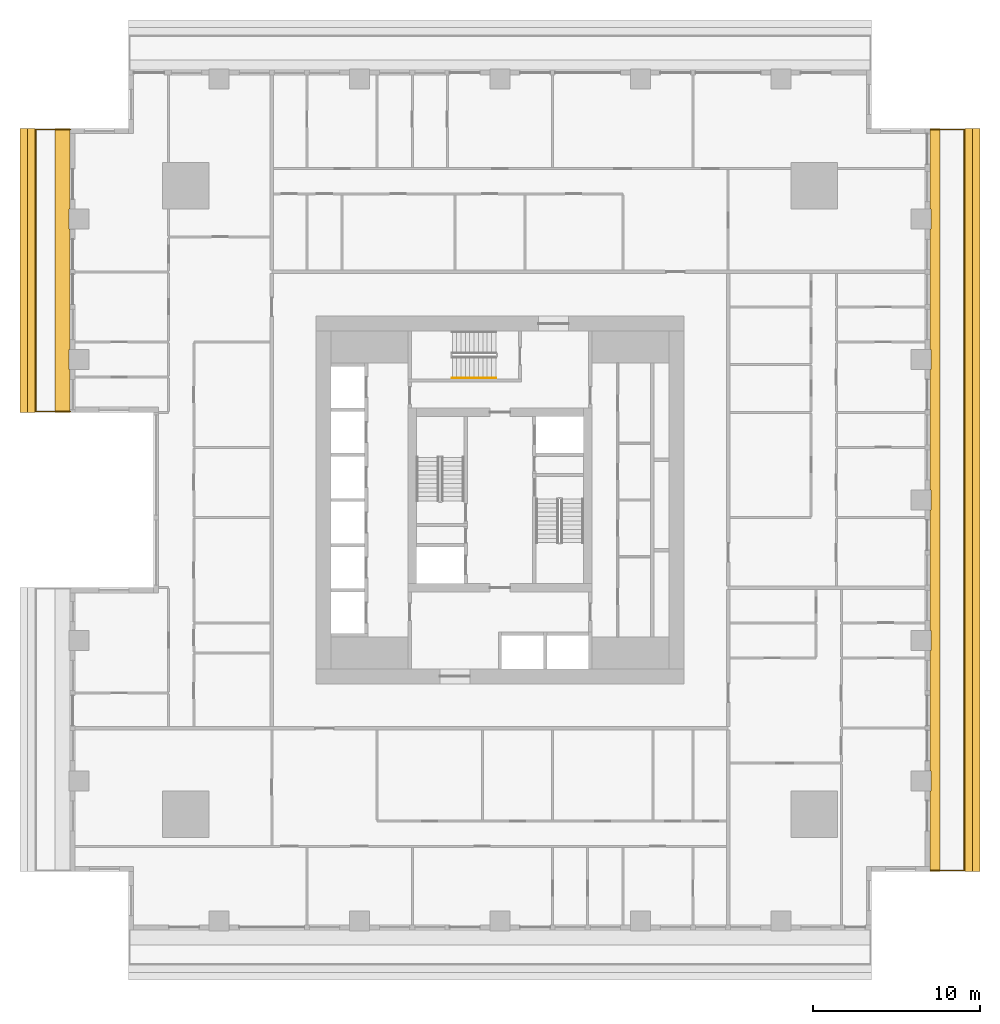
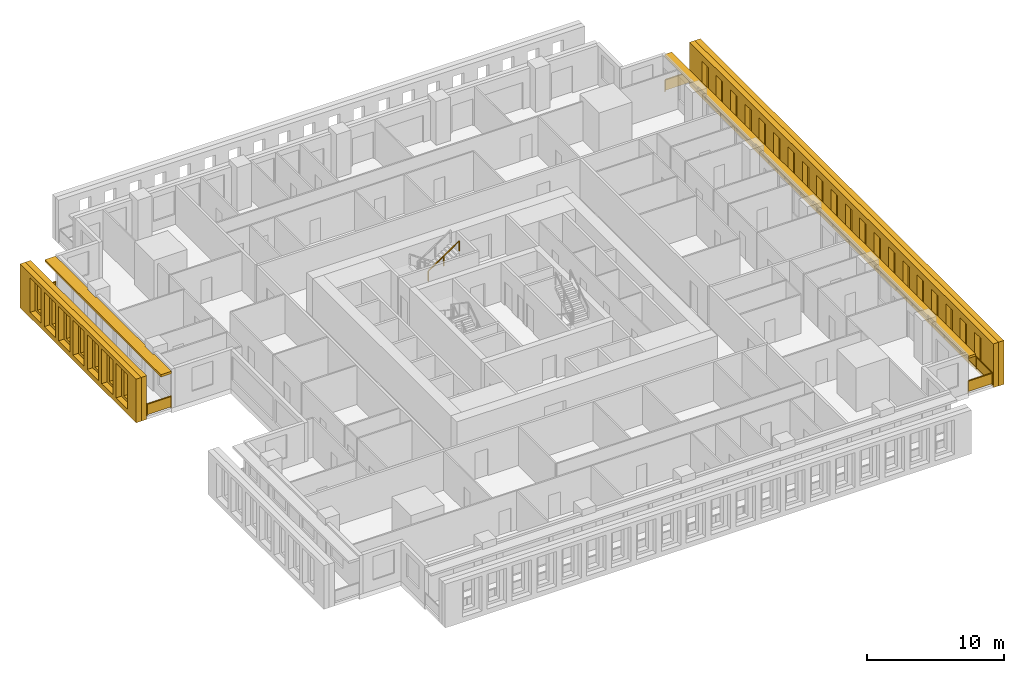
# One storey, part 12 of 14: 6 shading devices, 3 railings.
"""IFC4 building model written with IfcOpenShell, lengths in metres."""

from ifc_helpers import new_model, si_unit, direction, frame, origin, origin_2d, place, context, subcontext, project, spatial, polyline, rectangle, outline, extrude, material, layer, layer_set, type_object, element, save


model = new_model("IFC4")

# Units and contexts
model_context = context("Model", 3, precision=1e-05, world=origin(), true_north=direction((0.0, 1.0)))
body_context = subcontext(model_context, "Body", "Model", "MODEL_VIEW")
ifc_project = project(units=[si_unit("LENGTHUNIT", "METRE"), si_unit("AREAUNIT", "SQUARE_METRE"), si_unit("VOLUMEUNIT", "CUBIC_METRE"), si_unit("PLANEANGLEUNIT", "RADIAN"), si_unit("MASSUNIT", "GRAM", prefix="KILO")], contexts=[model_context])

# Site, building, storey
site_placement = place(None, origin())
site = spatial("IfcSite", under=ifc_project, at=site_placement, CompositionType="ELEMENT")
building_placement = place(site_placement, origin())
building = spatial("IfcBuilding", under=site, at=building_placement, Name="Khepri Terraces", CompositionType="ELEMENT")
storey_placement = place(building_placement, frame((0.0, 0.0, 90.89990234375)))
storey = spatial("IfcBuildingStorey", under=building, at=storey_placement, Name="L21", CompositionType="ELEMENT", Elevation=90.89990234375)

# Railings
ifc_material_1 = material(Name="Stainless steel grade 316", Category="steel")
railing_type_1 = type_object("IfcRailingType", Name="GRD-BAL-1100", PredefinedType="GUARDRAIL", material=ifc_material_1)
railing_1_placement = place(storey_placement, frame((25.719970703125, -22.169921875, 0.0)))
element("IfcRailing", 1, at=railing_1_placement, inside=storey, type_object=railing_type_1, Name="Balcony guard L21 E", PredefinedType="GUARDRAIL", context=body_context, shape_type="SweptSolid", body=[
    extrude(rectangle(XDim=0.050048828125, YDim=0.06005859375, at=origin_2d()), frame((0.0, 0.0, 1.070068359375), z_axis=(1.0, 0.0, 0.0), x_axis=(0.0, 1.0, 0.0)), (0.0, 0.0, 1.0), 2.050048828125),
    extrude(rectangle(XDim=2.0, YDim=0.011962890625, at=origin_2d()), frame((1.02490234375, 0.0, 0.10009765625), z_axis=(0.0, 0.0, 1.0), x_axis=(1.0, 0.0, 0.0)), (0.0, 0.0, 1.0), 0.93994140625),
    extrude(rectangle(XDim=0.050048828125, YDim=0.06005859375, at=origin_2d()), frame((2.050048828125, 0.0, 1.070068359375), z_axis=(0.0, 1.0, 0.0), x_axis=(-1.0, 0.0, 0.0)), (0.0, 0.0, 1.0), 44.33984375),
    extrude(rectangle(XDim=2.28369140625, YDim=0.011962890625, at=origin_2d()), frame((2.050048828125, 1.166748046875, 0.10009765625), z_axis=(0.0, 0.0, 1.0), x_axis=(0.0, 1.0, 0.0)), (0.0, 0.0, 1.0), 0.93994140625),
    extrude(rectangle(XDim=2.28369140625, YDim=0.011962890625, at=origin_2d()), frame((2.050048828125, 3.50048828125, 0.10009765625), z_axis=(0.0, 0.0, 1.0), x_axis=(0.0, 1.0, 0.0)), (0.0, 0.0, 1.0), 0.93994140625),
    extrude(rectangle(XDim=2.28369140625, YDim=0.011962890625, at=origin_2d()), frame((2.050048828125, 5.834228515625, 0.10009765625), z_axis=(0.0, 0.0, 1.0), x_axis=(0.0, 1.0, 0.0)), (0.0, 0.0, 1.0), 0.93994140625),
    extrude(rectangle(XDim=2.28369140625, YDim=0.011962890625, at=origin_2d()), frame((2.050048828125, 8.16796875, 0.10009765625), z_axis=(0.0, 0.0, 1.0), x_axis=(0.0, 1.0, 0.0)), (0.0, 0.0, 1.0), 0.93994140625),
    extrude(rectangle(XDim=2.28369140625, YDim=0.011962890625, at=origin_2d()), frame((2.050048828125, 10.50146484375, 0.10009765625), z_axis=(0.0, 0.0, 1.0), x_axis=(0.0, 1.0, 0.0)), (0.0, 0.0, 1.0), 0.93994140625),
    extrude(rectangle(XDim=2.28369140625, YDim=0.011962890625, at=origin_2d()), frame((2.050048828125, 12.835205078125, 0.10009765625), z_axis=(0.0, 0.0, 1.0), x_axis=(0.0, 1.0, 0.0)), (0.0, 0.0, 1.0), 0.93994140625),
    extrude(rectangle(XDim=2.28369140625, YDim=0.011962890625, at=origin_2d()), frame((2.050048828125, 15.1689453125, 0.10009765625), z_axis=(0.0, 0.0, 1.0), x_axis=(0.0, 1.0, 0.0)), (0.0, 0.0, 1.0), 0.93994140625),
    extrude(rectangle(XDim=2.28369140625, YDim=0.011962890625, at=origin_2d()), frame((2.050048828125, 17.502685546875, 0.10009765625), z_axis=(0.0, 0.0, 1.0), x_axis=(0.0, 1.0, 0.0)), (0.0, 0.0, 1.0), 0.93994140625),
    extrude(rectangle(XDim=2.28369140625, YDim=0.011962890625, at=origin_2d()), frame((2.050048828125, 19.836181640625, 0.10009765625), z_axis=(0.0, 0.0, 1.0), x_axis=(0.0, 1.0, 0.0)), (0.0, 0.0, 1.0), 0.93994140625),
    extrude(rectangle(XDim=2.28369140625, YDim=0.011962890625, at=origin_2d()), frame((2.050048828125, 22.169921875, 0.10009765625), z_axis=(0.0, 0.0, 1.0), x_axis=(0.0, 1.0, 0.0)), (0.0, 0.0, 1.0), 0.93994140625),
    extrude(rectangle(XDim=2.28369140625, YDim=0.011962890625, at=origin_2d()), frame((2.050048828125, 24.503662109375, 0.10009765625), z_axis=(0.0, 0.0, 1.0), x_axis=(0.0, 1.0, 0.0)), (0.0, 0.0, 1.0), 0.93994140625),
    extrude(rectangle(XDim=2.28369140625, YDim=0.011962890625, at=origin_2d()), frame((2.050048828125, 26.837158203125, 0.10009765625), z_axis=(0.0, 0.0, 1.0), x_axis=(0.0, 1.0, 0.0)), (0.0, 0.0, 1.0), 0.93994140625),
    extrude(rectangle(XDim=2.28369140625, YDim=0.011962890625, at=origin_2d()), frame((2.050048828125, 29.1708984375, 0.10009765625), z_axis=(0.0, 0.0, 1.0), x_axis=(0.0, 1.0, 0.0)), (0.0, 0.0, 1.0), 0.93994140625),
    extrude(rectangle(XDim=2.28369140625, YDim=0.011962890625, at=origin_2d()), frame((2.050048828125, 31.504638671875, 0.10009765625), z_axis=(0.0, 0.0, 1.0), x_axis=(0.0, 1.0, 0.0)), (0.0, 0.0, 1.0), 0.93994140625),
    extrude(rectangle(XDim=2.28369140625, YDim=0.011962890625, at=origin_2d()), frame((2.050048828125, 33.83837890625, 0.10009765625), z_axis=(0.0, 0.0, 1.0), x_axis=(0.0, 1.0, 0.0)), (0.0, 0.0, 1.0), 0.93994140625),
    extrude(rectangle(XDim=2.28369140625, YDim=0.011962890625, at=origin_2d()), frame((2.050048828125, 36.171875, 0.10009765625), z_axis=(0.0, 0.0, 1.0), x_axis=(0.0, 1.0, 0.0)), (0.0, 0.0, 1.0), 0.93994140625),
    extrude(rectangle(XDim=2.28369140625, YDim=0.011962890625, at=origin_2d()), frame((2.050048828125, 38.505615234375, 0.10009765625), z_axis=(0.0, 0.0, 1.0), x_axis=(0.0, 1.0, 0.0)), (0.0, 0.0, 1.0), 0.93994140625),
    extrude(rectangle(XDim=2.28369140625, YDim=0.011962890625, at=origin_2d()), frame((2.050048828125, 40.83935546875, 0.10009765625), z_axis=(0.0, 0.0, 1.0), x_axis=(0.0, 1.0, 0.0)), (0.0, 0.0, 1.0), 0.93994140625),
    extrude(rectangle(XDim=2.28369140625, YDim=0.011962890625, at=origin_2d()), frame((2.050048828125, 43.173095703125, 0.10009765625), z_axis=(0.0, 0.0, 1.0), x_axis=(0.0, 1.0, 0.0)), (0.0, 0.0, 1.0), 0.93994140625),
    extrude(rectangle(XDim=0.050048828125, YDim=0.06005859375, at=origin_2d()), frame((2.050048828125, 44.33984375, 1.070068359375), z_axis=(-1.0, 0.0, 0.0), x_axis=(0.0, -1.0, 0.0)), (0.0, 0.0, 1.0), 2.050048828125),
    extrude(rectangle(XDim=2.0, YDim=0.011962890625, at=origin_2d()), frame((1.02490234375, 44.33984375, 0.10009765625), z_axis=(0.0, 0.0, 1.0), x_axis=(-1.0, 0.0, 0.0)), (0.0, 0.0, 1.0), 0.93994140625),
    extrude(rectangle(XDim=0.050048828125, YDim=0.050048828125, at=origin_2d()), origin(), (0.0, 0.0, 1.0), 1.0400390625),
    extrude(rectangle(XDim=0.050048828125, YDim=0.050048828125, at=origin_2d()), frame((2.050048828125, 0.0, 0.0)), (0.0, 0.0, 1.0), 1.0400390625),
    extrude(rectangle(XDim=0.050048828125, YDim=0.050048828125, at=origin_2d()), frame((2.050048828125, 2.333740234375, 0.0)), (0.0, 0.0, 1.0), 1.0400390625),
    extrude(rectangle(XDim=0.050048828125, YDim=0.050048828125, at=origin_2d()), frame((2.050048828125, 4.667236328125, 0.0)), (0.0, 0.0, 1.0), 1.0400390625),
    extrude(rectangle(XDim=0.050048828125, YDim=0.050048828125, at=origin_2d()), frame((2.050048828125, 7.0009765625, 0.0)), (0.0, 0.0, 1.0), 1.0400390625),
    extrude(rectangle(XDim=0.050048828125, YDim=0.050048828125, at=origin_2d()), frame((2.050048828125, 9.334716796875, 0.0)), (0.0, 0.0, 1.0), 1.0400390625),
    extrude(rectangle(XDim=0.050048828125, YDim=0.050048828125, at=origin_2d()), frame((2.050048828125, 11.66845703125, 0.0)), (0.0, 0.0, 1.0), 1.0400390625),
    extrude(rectangle(XDim=0.050048828125, YDim=0.050048828125, at=origin_2d()), frame((2.050048828125, 14.001953125, 0.0)), (0.0, 0.0, 1.0), 1.0400390625),
    extrude(rectangle(XDim=0.050048828125, YDim=0.050048828125, at=origin_2d()), frame((2.050048828125, 16.335693359375, 0.0)), (0.0, 0.0, 1.0), 1.0400390625),
    extrude(rectangle(XDim=0.050048828125, YDim=0.050048828125, at=origin_2d()), frame((2.050048828125, 18.66943359375, 0.0)), (0.0, 0.0, 1.0), 1.0400390625),
    extrude(rectangle(XDim=0.050048828125, YDim=0.050048828125, at=origin_2d()), frame((2.050048828125, 21.003173828125, 0.0)), (0.0, 0.0, 1.0), 1.0400390625),
    extrude(rectangle(XDim=0.050048828125, YDim=0.050048828125, at=origin_2d()), frame((2.050048828125, 23.336669921875, 0.0)), (0.0, 0.0, 1.0), 1.0400390625),
    extrude(rectangle(XDim=0.050048828125, YDim=0.050048828125, at=origin_2d()), frame((2.050048828125, 25.67041015625, 0.0)), (0.0, 0.0, 1.0), 1.0400390625),
    extrude(rectangle(XDim=0.050048828125, YDim=0.050048828125, at=origin_2d()), frame((2.050048828125, 28.004150390625, 0.0)), (0.0, 0.0, 1.0), 1.0400390625),
    extrude(rectangle(XDim=0.050048828125, YDim=0.050048828125, at=origin_2d()), frame((2.050048828125, 30.337890625, 0.0)), (0.0, 0.0, 1.0), 1.0400390625),
    extrude(rectangle(XDim=0.050048828125, YDim=0.050048828125, at=origin_2d()), frame((2.050048828125, 32.67138671875, 0.0)), (0.0, 0.0, 1.0), 1.0400390625),
    extrude(rectangle(XDim=0.050048828125, YDim=0.050048828125, at=origin_2d()), frame((2.050048828125, 35.005126953125, 0.0)), (0.0, 0.0, 1.0), 1.0400390625),
    extrude(rectangle(XDim=0.050048828125, YDim=0.050048828125, at=origin_2d()), frame((2.050048828125, 37.3388671875, 0.0)), (0.0, 0.0, 1.0), 1.0400390625),
    extrude(rectangle(XDim=0.050048828125, YDim=0.050048828125, at=origin_2d()), frame((2.050048828125, 39.672607421875, 0.0)), (0.0, 0.0, 1.0), 1.0400390625),
    extrude(rectangle(XDim=0.050048828125, YDim=0.050048828125, at=origin_2d()), frame((2.050048828125, 42.006103515625, 0.0)), (0.0, 0.0, 1.0), 1.0400390625),
    extrude(rectangle(XDim=0.050048828125, YDim=0.050048828125, at=origin_2d()), frame((2.050048828125, 44.33984375, 0.0)), (0.0, 0.0, 1.0), 1.0400390625),
    extrude(rectangle(XDim=0.050048828125, YDim=0.050048828125, at=origin_2d()), frame((0.0, 44.33984375, 0.0)), (0.0, 0.0, 1.0), 1.0400390625),
])
railing_2_placement = place(storey_placement, frame((-25.719970703125, 22.169921875, 0.0)))
element("IfcRailing", 2, at=railing_2_placement, inside=storey, type_object=railing_type_1, Name="Balcony guard L21 W", PredefinedType="GUARDRAIL", context=body_context, shape_type="SweptSolid", body=[
    extrude(rectangle(XDim=0.050048828125, YDim=0.06005859375, at=origin_2d()), frame((0.0, 0.0, 1.070068359375), z_axis=(-1.0, 0.0, 0.0), x_axis=(0.0, -1.0, 0.0)), (0.0, 0.0, 1.0), 2.050048828125),
    extrude(rectangle(XDim=2.0, YDim=0.011962890625, at=origin_2d()), frame((-1.02490234375, 0.0, 0.10009765625), z_axis=(0.0, 0.0, 1.0), x_axis=(-1.0, 0.0, 0.0)), (0.0, 0.0, 1.0), 0.93994140625),
    extrude(rectangle(XDim=0.050048828125, YDim=0.06005859375, at=origin_2d()), frame((-2.050048828125, 0.0, 1.070068359375), z_axis=(0.0, -1.0, 0.0), x_axis=(1.0, 0.0, 0.0)), (0.0, 0.0, 1.0), 16.869873046875),
    extrude(rectangle(XDim=2.05859375, YDim=0.011962890625, at=origin_2d()), frame((-2.050048828125, -1.054443359375, 0.10009765625), z_axis=(0.0, 0.0, 1.0), x_axis=(0.0, -1.0, 0.0)), (0.0, 0.0, 1.0), 0.93994140625),
    extrude(rectangle(XDim=2.05859375, YDim=0.011962890625, at=origin_2d()), frame((-2.050048828125, -3.1630859375, 0.10009765625), z_axis=(0.0, 0.0, 1.0), x_axis=(0.0, -1.0, 0.0)), (0.0, 0.0, 1.0), 0.93994140625),
    extrude(rectangle(XDim=2.05859375, YDim=0.011962890625, at=origin_2d()), frame((-2.050048828125, -5.271728515625, 0.10009765625), z_axis=(0.0, 0.0, 1.0), x_axis=(0.0, -1.0, 0.0)), (0.0, 0.0, 1.0), 0.93994140625),
    extrude(rectangle(XDim=2.05859375, YDim=0.011962890625, at=origin_2d()), frame((-2.050048828125, -7.380615234375, 0.10009765625), z_axis=(0.0, 0.0, 1.0), x_axis=(0.0, -1.0, 0.0)), (0.0, 0.0, 1.0), 0.93994140625),
    extrude(rectangle(XDim=2.05859375, YDim=0.011962890625, at=origin_2d()), frame((-2.050048828125, -9.4892578125, 0.10009765625), z_axis=(0.0, 0.0, 1.0), x_axis=(0.0, -1.0, 0.0)), (0.0, 0.0, 1.0), 0.93994140625),
    extrude(rectangle(XDim=2.05859375, YDim=0.011962890625, at=origin_2d()), frame((-2.050048828125, -11.59814453125, 0.10009765625), z_axis=(0.0, 0.0, 1.0), x_axis=(0.0, -1.0, 0.0)), (0.0, 0.0, 1.0), 0.93994140625),
    extrude(rectangle(XDim=2.05859375, YDim=0.011962890625, at=origin_2d()), frame((-2.050048828125, -13.706787109375, 0.10009765625), z_axis=(0.0, 0.0, 1.0), x_axis=(0.0, -1.0, 0.0)), (0.0, 0.0, 1.0), 0.93994140625),
    extrude(rectangle(XDim=2.05859375, YDim=0.011962890625, at=origin_2d()), frame((-2.050048828125, -15.8154296875, 0.10009765625), z_axis=(0.0, 0.0, 1.0), x_axis=(0.0, -1.0, 0.0)), (0.0, 0.0, 1.0), 0.93994140625),
    extrude(rectangle(XDim=0.050048828125, YDim=0.06005859375, at=origin_2d()), frame((-2.050048828125, -16.869873046875, 1.070068359375), z_axis=(1.0, 0.0, 0.0), x_axis=(0.0, 1.0, 0.0)), (0.0, 0.0, 1.0), 2.050048828125),
    extrude(rectangle(XDim=2.0, YDim=0.011962890625, at=origin_2d()), frame((-1.02490234375, -16.869873046875, 0.10009765625), z_axis=(0.0, 0.0, 1.0), x_axis=(1.0, 0.0, 0.0)), (0.0, 0.0, 1.0), 0.93994140625),
    extrude(rectangle(XDim=0.050048828125, YDim=0.050048828125, at=origin_2d()), origin(), (0.0, 0.0, 1.0), 1.0400390625),
    extrude(rectangle(XDim=0.050048828125, YDim=0.050048828125, at=origin_2d()), frame((-2.050048828125, 0.0, 0.0)), (0.0, 0.0, 1.0), 1.0400390625),
    extrude(rectangle(XDim=0.050048828125, YDim=0.050048828125, at=origin_2d()), frame((-2.050048828125, -2.108642578125, 0.0)), (0.0, 0.0, 1.0), 1.0400390625),
    extrude(rectangle(XDim=0.050048828125, YDim=0.050048828125, at=origin_2d()), frame((-2.050048828125, -4.217529296875, 0.0)), (0.0, 0.0, 1.0), 1.0400390625),
    extrude(rectangle(XDim=0.050048828125, YDim=0.050048828125, at=origin_2d()), frame((-2.050048828125, -6.326171875, 0.0)), (0.0, 0.0, 1.0), 1.0400390625),
    extrude(rectangle(XDim=0.050048828125, YDim=0.050048828125, at=origin_2d()), frame((-2.050048828125, -8.43505859375, 0.0)), (0.0, 0.0, 1.0), 1.0400390625),
    extrude(rectangle(XDim=0.050048828125, YDim=0.050048828125, at=origin_2d()), frame((-2.050048828125, -10.543701171875, 0.0)), (0.0, 0.0, 1.0), 1.0400390625),
    extrude(rectangle(XDim=0.050048828125, YDim=0.050048828125, at=origin_2d()), frame((-2.050048828125, -12.65234375, 0.0)), (0.0, 0.0, 1.0), 1.0400390625),
    extrude(rectangle(XDim=0.050048828125, YDim=0.050048828125, at=origin_2d()), frame((-2.050048828125, -14.76123046875, 0.0)), (0.0, 0.0, 1.0), 1.0400390625),
    extrude(rectangle(XDim=0.050048828125, YDim=0.050048828125, at=origin_2d()), frame((-2.050048828125, -16.869873046875, 0.0)), (0.0, 0.0, 1.0), 1.0400390625),
    extrude(rectangle(XDim=0.050048828125, YDim=0.050048828125, at=origin_2d()), frame((0.0, -16.869873046875, 0.0)), (0.0, 0.0, 1.0), 1.0400390625),
])
ifc_material_2 = material(Name="Stainless steel 316", Category="steel")
railing_type_2 = type_object("IfcRailingType", Name="RL-CORE-HANDRAIL", PredefinedType="HANDRAIL", material=ifc_material_2)
railing_3_placement = place(storey_placement, frame((-2.85009765625, 7.300048828125, 2.12744140625)))
element("IfcRailing", 3, at=railing_3_placement, inside=storey, type_object=railing_type_2, Name="L21 ST-3 stair handrail 2", PredefinedType="HANDRAIL", context=body_context, shape_type="SweptSolid", body=[
    extrude(rectangle(XDim=0.050048828125, YDim=0.050048828125, at=origin_2d()), frame((0.0, 0.0, 0.875), z_axis=(0.826240473404, 0.0, 0.563317565952), x_axis=(0.0, 1.0, 0.0)), (0.0, 0.0, 1.0), 3.14697265625),
    extrude(rectangle(XDim=0.050048828125, YDim=0.050048828125, at=origin_2d()), origin(), (0.0, 0.0, 1.0), 0.849853515625),
    extrude(rectangle(XDim=0.050048828125, YDim=0.050048828125, at=origin_2d()), frame((1.300048828125, 0.0, 0.88623046875)), (0.0, 0.0, 1.0), 0.849853515625),
    extrude(rectangle(XDim=0.050048828125, YDim=0.050048828125, at=origin_2d()), frame((2.60009765625, 0.0, 1.772705078125)), (0.0, 0.0, 1.0), 0.849853515625),
])

# Shading devices
ifc_material_3 = material(Name="Precast concrete C50/60 warm stone", Category="masonry")
shading_device_type_1 = type_object("IfcShadingDeviceType", Name="SCR-CELL-INNER-450", PredefinedType="USERDEFINED", material=ifc_material_3)
shading_device_1_placement = place(storey_placement, frame((27.820068359375, -22.219970703125, -0.25), z_axis=(1.0, 0.0, 0.0), x_axis=(0.0, 1.0, 0.0)))
element("IfcShadingDevice", 4, at=shading_device_1_placement, inside=storey, type_object=shading_device_type_1, Name="Cell screen L21 E in", ObjectType="SCREEN", PredefinedType="USERDEFINED", context=body_context, shape_type="SweptSolid", body=[
    extrude(outline(polyline([(0.0, 0.0), (44.43994140625, 0.0), (44.43994140625, 3.89990234375), (0.0, 3.89990234375), (0.0, 0.0)]), holes=[polyline([(1.797607421875, 0.699951171875), (2.742431640625, 0.699951171875), (2.742431640625, 3.300048828125), (1.797607421875, 3.300048828125), (1.797607421875, 0.699951171875)]), polyline([(3.8974609375, 0.699951171875), (4.842529296875, 0.699951171875), (4.842529296875, 3.300048828125), (3.8974609375, 3.300048828125), (3.8974609375, 0.699951171875)]), polyline([(5.99755859375, 0.699951171875), (6.9423828125, 0.699951171875), (6.9423828125, 3.300048828125), (5.99755859375, 3.300048828125), (5.99755859375, 0.699951171875)]), polyline([(8.097412109375, 0.699951171875), (9.04248046875, 0.699951171875), (9.04248046875, 3.300048828125), (8.097412109375, 3.300048828125), (8.097412109375, 0.699951171875)]), polyline([(10.197509765625, 0.699951171875), (11.142578125, 0.699951171875), (11.142578125, 3.300048828125), (10.197509765625, 3.300048828125), (10.197509765625, 0.699951171875)]), polyline([(12.297607421875, 0.699951171875), (13.242431640625, 0.699951171875), (13.242431640625, 3.300048828125), (12.297607421875, 3.300048828125), (12.297607421875, 0.699951171875)]), polyline([(14.3974609375, 0.699951171875), (15.342529296875, 0.699951171875), (15.342529296875, 3.300048828125), (14.3974609375, 3.300048828125), (14.3974609375, 0.699951171875)]), polyline([(16.49755859375, 0.699951171875), (17.4423828125, 0.699951171875), (17.4423828125, 3.300048828125), (16.49755859375, 3.300048828125), (16.49755859375, 0.699951171875)]), polyline([(18.597412109375, 0.699951171875), (19.54248046875, 0.699951171875), (19.54248046875, 3.300048828125), (18.597412109375, 3.300048828125), (18.597412109375, 0.699951171875)]), polyline([(20.697509765625, 0.699951171875), (21.642578125, 0.699951171875), (21.642578125, 3.300048828125), (20.697509765625, 3.300048828125), (20.697509765625, 0.699951171875)]), polyline([(22.797607421875, 0.699951171875), (23.742431640625, 0.699951171875), (23.742431640625, 3.300048828125), (22.797607421875, 3.300048828125), (22.797607421875, 0.699951171875)]), polyline([(24.8974609375, 0.699951171875), (25.842529296875, 0.699951171875), (25.842529296875, 3.300048828125), (24.8974609375, 3.300048828125), (24.8974609375, 0.699951171875)]), polyline([(26.99755859375, 0.699951171875), (27.9423828125, 0.699951171875), (27.9423828125, 3.300048828125), (26.99755859375, 3.300048828125), (26.99755859375, 0.699951171875)]), polyline([(29.097412109375, 0.699951171875), (30.04248046875, 0.699951171875), (30.04248046875, 3.300048828125), (29.097412109375, 3.300048828125), (29.097412109375, 0.699951171875)]), polyline([(31.197509765625, 0.699951171875), (32.142578125, 0.699951171875), (32.142578125, 3.300048828125), (31.197509765625, 3.300048828125), (31.197509765625, 0.699951171875)]), polyline([(33.297607421875, 0.699951171875), (34.242431640625, 0.699951171875), (34.242431640625, 3.300048828125), (33.297607421875, 3.300048828125), (33.297607421875, 0.699951171875)]), polyline([(35.3974609375, 0.699951171875), (36.342529296875, 0.699951171875), (36.342529296875, 3.300048828125), (35.3974609375, 3.300048828125), (35.3974609375, 0.699951171875)]), polyline([(37.49755859375, 0.699951171875), (38.4423828125, 0.699951171875), (38.4423828125, 3.300048828125), (37.49755859375, 3.300048828125), (37.49755859375, 0.699951171875)]), polyline([(39.597412109375, 0.699951171875), (40.54248046875, 0.699951171875), (40.54248046875, 3.300048828125), (39.597412109375, 3.300048828125), (39.597412109375, 0.699951171875)]), polyline([(41.697509765625, 0.699951171875), (42.642578125, 0.699951171875), (42.642578125, 3.300048828125), (41.697509765625, 3.300048828125), (41.697509765625, 0.699951171875)])]), origin(), (0.0, 0.0, 1.0), 0.449951171875),
])
shading_device_2_placement = place(storey_placement, frame((-27.820068359375, 22.219970703125, -0.25), z_axis=(-1.0, 0.0, 0.0), x_axis=(0.0, -1.0, 0.0)))
element("IfcShadingDevice", 5, at=shading_device_2_placement, inside=storey, type_object=shading_device_type_1, Name="Cell screen L21 W in", ObjectType="SCREEN", PredefinedType="USERDEFINED", context=body_context, shape_type="SweptSolid", body=[
    extrude(outline(polyline([(0.0, 0.0), (16.969970703125, 0.0), (16.969970703125, 3.89990234375), (0.0, 3.89990234375), (0.0, 0.0)]), holes=[polyline([(1.797607421875, 0.699951171875), (2.742431640625, 0.699951171875), (2.742431640625, 3.300048828125), (1.797607421875, 3.300048828125), (1.797607421875, 0.699951171875)]), polyline([(3.8974609375, 0.699951171875), (4.842529296875, 0.699951171875), (4.842529296875, 3.300048828125), (3.8974609375, 3.300048828125), (3.8974609375, 0.699951171875)]), polyline([(5.99755859375, 0.699951171875), (6.9423828125, 0.699951171875), (6.9423828125, 3.300048828125), (5.99755859375, 3.300048828125), (5.99755859375, 0.699951171875)]), polyline([(8.097412109375, 0.699951171875), (9.04248046875, 0.699951171875), (9.04248046875, 3.300048828125), (8.097412109375, 3.300048828125), (8.097412109375, 0.699951171875)]), polyline([(10.197509765625, 0.699951171875), (11.142578125, 0.699951171875), (11.142578125, 3.300048828125), (10.197509765625, 3.300048828125), (10.197509765625, 0.699951171875)]), polyline([(12.297607421875, 0.699951171875), (13.242431640625, 0.699951171875), (13.242431640625, 3.300048828125), (12.297607421875, 3.300048828125), (12.297607421875, 0.699951171875)]), polyline([(14.3974609375, 0.699951171875), (15.342529296875, 0.699951171875), (15.342529296875, 3.300048828125), (14.3974609375, 3.300048828125), (14.3974609375, 0.699951171875)])]), origin(), (0.0, 0.0, 1.0), 0.449951171875),
])
shading_device_type_2 = type_object("IfcShadingDeviceType", Name="SCR-CELL-OUTER-450", PredefinedType="USERDEFINED", material=ifc_material_3)
shading_device_3_placement = place(storey_placement, frame((28.27001953125, -22.219970703125, -0.25), z_axis=(1.0, 0.0, 0.0), x_axis=(0.0, 1.0, 0.0)))
element("IfcShadingDevice", 6, at=shading_device_3_placement, inside=storey, type_object=shading_device_type_2, Name="Cell screen L21 E out", ObjectType="SCREEN", PredefinedType="USERDEFINED", context=body_context, shape_type="SweptSolid", body=[
    extrude(outline(polyline([(0.0, 0.0), (44.43994140625, 0.0), (44.43994140625, 3.89990234375), (0.0, 3.89990234375), (0.0, 0.0)]), holes=[polyline([(1.447509765625, 0.449951171875), (3.092529296875, 0.449951171875), (3.092529296875, 3.550048828125), (1.447509765625, 3.550048828125), (1.447509765625, 0.449951171875)]), polyline([(3.547607421875, 0.449951171875), (5.1923828125, 0.449951171875), (5.1923828125, 3.550048828125), (3.547607421875, 3.550048828125), (3.547607421875, 0.449951171875)]), polyline([(5.6474609375, 0.449951171875), (7.29248046875, 0.449951171875), (7.29248046875, 3.550048828125), (5.6474609375, 3.550048828125), (5.6474609375, 0.449951171875)]), polyline([(7.74755859375, 0.449951171875), (9.392578125, 0.449951171875), (9.392578125, 3.550048828125), (7.74755859375, 3.550048828125), (7.74755859375, 0.449951171875)]), polyline([(9.847412109375, 0.449951171875), (11.492431640625, 0.449951171875), (11.492431640625, 3.550048828125), (9.847412109375, 3.550048828125), (9.847412109375, 0.449951171875)]), polyline([(11.947509765625, 0.449951171875), (13.592529296875, 0.449951171875), (13.592529296875, 3.550048828125), (11.947509765625, 3.550048828125), (11.947509765625, 0.449951171875)]), polyline([(14.047607421875, 0.449951171875), (15.6923828125, 0.449951171875), (15.6923828125, 3.550048828125), (14.047607421875, 3.550048828125), (14.047607421875, 0.449951171875)]), polyline([(16.1474609375, 0.449951171875), (17.79248046875, 0.449951171875), (17.79248046875, 3.550048828125), (16.1474609375, 3.550048828125), (16.1474609375, 0.449951171875)]), polyline([(18.24755859375, 0.449951171875), (19.892578125, 0.449951171875), (19.892578125, 3.550048828125), (18.24755859375, 3.550048828125), (18.24755859375, 0.449951171875)]), polyline([(20.347412109375, 0.449951171875), (21.992431640625, 0.449951171875), (21.992431640625, 3.550048828125), (20.347412109375, 3.550048828125), (20.347412109375, 0.449951171875)]), polyline([(22.447509765625, 0.449951171875), (24.092529296875, 0.449951171875), (24.092529296875, 3.550048828125), (22.447509765625, 3.550048828125), (22.447509765625, 0.449951171875)]), polyline([(24.547607421875, 0.449951171875), (26.1923828125, 0.449951171875), (26.1923828125, 3.550048828125), (24.547607421875, 3.550048828125), (24.547607421875, 0.449951171875)]), polyline([(26.6474609375, 0.449951171875), (28.29248046875, 0.449951171875), (28.29248046875, 3.550048828125), (26.6474609375, 3.550048828125), (26.6474609375, 0.449951171875)]), polyline([(28.74755859375, 0.449951171875), (30.392578125, 0.449951171875), (30.392578125, 3.550048828125), (28.74755859375, 3.550048828125), (28.74755859375, 0.449951171875)]), polyline([(30.847412109375, 0.449951171875), (32.492431640625, 0.449951171875), (32.492431640625, 3.550048828125), (30.847412109375, 3.550048828125), (30.847412109375, 0.449951171875)]), polyline([(32.947509765625, 0.449951171875), (34.592529296875, 0.449951171875), (34.592529296875, 3.550048828125), (32.947509765625, 3.550048828125), (32.947509765625, 0.449951171875)]), polyline([(35.047607421875, 0.449951171875), (36.6923828125, 0.449951171875), (36.6923828125, 3.550048828125), (35.047607421875, 3.550048828125), (35.047607421875, 0.449951171875)]), polyline([(37.1474609375, 0.449951171875), (38.79248046875, 0.449951171875), (38.79248046875, 3.550048828125), (37.1474609375, 3.550048828125), (37.1474609375, 0.449951171875)]), polyline([(39.24755859375, 0.449951171875), (40.892578125, 0.449951171875), (40.892578125, 3.550048828125), (39.24755859375, 3.550048828125), (39.24755859375, 0.449951171875)]), polyline([(41.347412109375, 0.449951171875), (42.992431640625, 0.449951171875), (42.992431640625, 3.550048828125), (41.347412109375, 3.550048828125), (41.347412109375, 0.449951171875)])]), origin(), (0.0, 0.0, 1.0), 0.449951171875),
])
shading_device_4_placement = place(storey_placement, frame((-28.27001953125, 22.219970703125, -0.25), z_axis=(-1.0, 0.0, 0.0), x_axis=(0.0, -1.0, 0.0)))
element("IfcShadingDevice", 7, at=shading_device_4_placement, inside=storey, type_object=shading_device_type_2, Name="Cell screen L21 W out", ObjectType="SCREEN", PredefinedType="USERDEFINED", context=body_context, shape_type="SweptSolid", body=[
    extrude(outline(polyline([(0.0, 0.0), (16.969970703125, 0.0), (16.969970703125, 3.89990234375), (0.0, 3.89990234375), (0.0, 0.0)]), holes=[polyline([(1.447509765625, 0.449951171875), (3.092529296875, 0.449951171875), (3.092529296875, 3.550048828125), (1.447509765625, 3.550048828125), (1.447509765625, 0.449951171875)]), polyline([(3.547607421875, 0.449951171875), (5.1923828125, 0.449951171875), (5.1923828125, 3.550048828125), (3.547607421875, 3.550048828125), (3.547607421875, 0.449951171875)]), polyline([(5.6474609375, 0.449951171875), (7.29248046875, 0.449951171875), (7.29248046875, 3.550048828125), (5.6474609375, 3.550048828125), (5.6474609375, 0.449951171875)]), polyline([(7.74755859375, 0.449951171875), (9.392578125, 0.449951171875), (9.392578125, 3.550048828125), (7.74755859375, 3.550048828125), (7.74755859375, 0.449951171875)]), polyline([(9.847412109375, 0.449951171875), (11.492431640625, 0.449951171875), (11.492431640625, 3.550048828125), (9.847412109375, 3.550048828125), (9.847412109375, 0.449951171875)]), polyline([(11.947509765625, 0.449951171875), (13.592529296875, 0.449951171875), (13.592529296875, 3.550048828125), (11.947509765625, 3.550048828125), (11.947509765625, 0.449951171875)]), polyline([(14.047607421875, 0.449951171875), (15.6923828125, 0.449951171875), (15.6923828125, 3.550048828125), (14.047607421875, 3.550048828125), (14.047607421875, 0.449951171875)])]), origin(), (0.0, 0.0, 1.0), 0.449951171875),
])
ifc_layer_1 = layer(ifc_material_3, 0.199951171875, Name="Precast concrete C50/60 warm stone", Category="masonry")
ifc_layer_set_1 = layer_set([ifc_layer_1], Name="Precast concrete C50/60 warm stone")
shading_device_type_3 = type_object("IfcShadingDeviceType", Name="SSH-BAND-STONE-200", PredefinedType="USERDEFINED", material=ifc_layer_set_1)
shading_device_5_placement = place(storey_placement, frame((0.0, 0.0, 3.10009765625)))
element("IfcShadingDevice", 8, at=shading_device_5_placement, inside=storey, type_object=shading_device_type_3, Name="Sunshade band L21 W", ObjectType="SUNSHADE", PredefinedType="USERDEFINED", context=body_context, shape_type="SweptSolid", body=[
    extrude(outline(polyline([(-25.719970703125, 17.39990234375), (-25.719970703125, 22.219970703125), (-26.6201171875, 22.219970703125), (-26.6201171875, 5.25), (-25.719970703125, 5.25), (-25.719970703125, 7.800048828125), (-25.800048828125, 7.800048828125), (-25.800048828125, 9.0), (-25.719970703125, 9.0), (-25.719970703125, 16.199951171875), (-25.800048828125, 16.199951171875), (-25.800048828125, 17.39990234375), (-25.719970703125, 17.39990234375)])), origin(), (0.0, 0.0, 1.0), 0.199951171875),
])
ifc_layer_2 = layer(ifc_material_3, 0.199951171875, Name="Precast concrete C50/60 warm stone", Category="masonry")
ifc_layer_set_2 = layer_set([ifc_layer_2], Name="Precast concrete C50/60 warm stone")
shading_device_type_4 = type_object("IfcShadingDeviceType", Name="SSH-BAND-STONE-200-N", PredefinedType="USERDEFINED", material=ifc_layer_set_2)
shading_device_6_placement = place(storey_placement, frame((0.0, 0.0, 3.10009765625)))
element("IfcShadingDevice", 9, at=shading_device_6_placement, inside=storey, type_object=shading_device_type_4, Name="Sunshade band L21 E", ObjectType="SUNSHADE", PredefinedType="USERDEFINED", context=body_context, shape_type="SweptSolid", body=[
    extrude(outline(polyline([(25.719970703125, -17.39990234375), (25.719970703125, -22.219970703125), (26.320068359375, -22.219970703125), (26.320068359375, 22.219970703125), (25.719970703125, 22.219970703125), (25.719970703125, 17.39990234375), (25.800048828125, 17.39990234375), (25.800048828125, 16.199951171875), (25.719970703125, 16.199951171875), (25.719970703125, 9.0), (25.800048828125, 9.0), (25.800048828125, 7.800048828125), (25.719970703125, 7.800048828125), (25.719970703125, 0.60009765625), (25.800048828125, 0.60009765625), (25.800048828125, -0.60009765625), (25.719970703125, -0.60009765625), (25.719970703125, -7.800048828125), (25.800048828125, -7.800048828125), (25.800048828125, -9.0), (25.719970703125, -9.0), (25.719970703125, -16.199951171875), (25.800048828125, -16.199951171875), (25.800048828125, -17.39990234375), (25.719970703125, -17.39990234375)])), origin(), (0.0, 0.0, 1.0), 0.199951171875),
])

save(model, "model.ifc")
